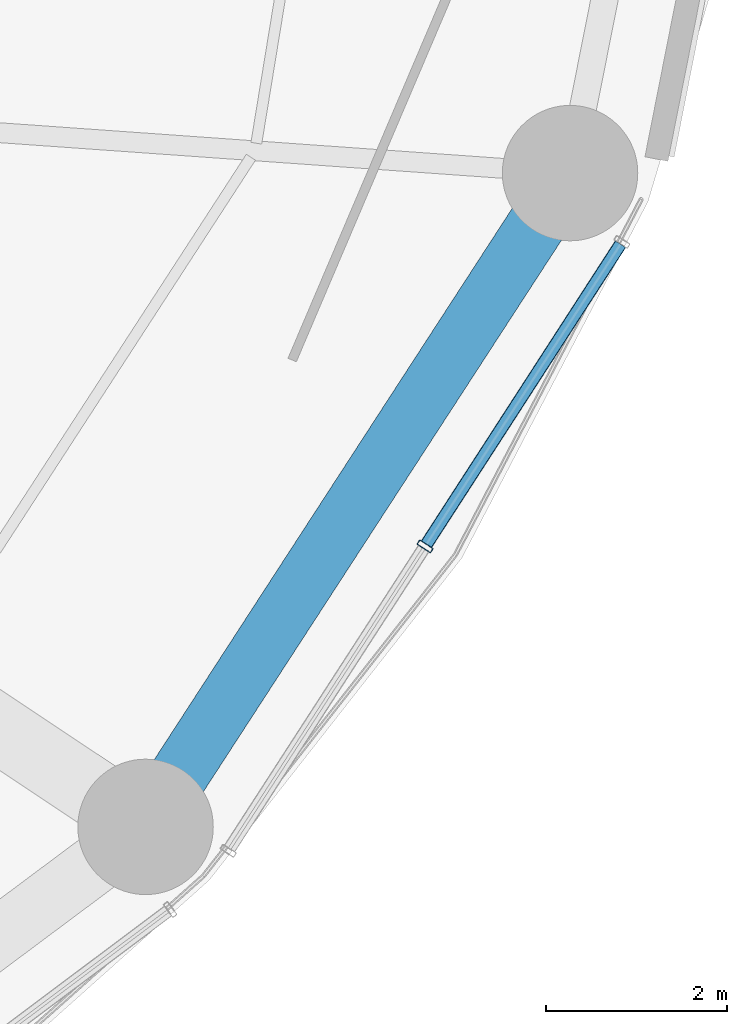
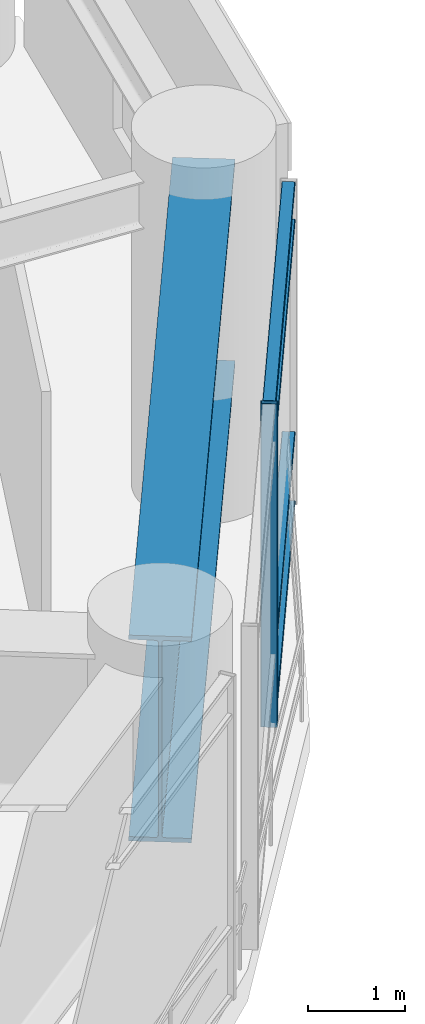
# One storey, part 22 of 52: 5 members, 1 beam, 1 element without a shape of its own.
"""IFC4 building model written with IfcOpenShell, lengths in metres."""

from ifc_helpers import new_model, si_unit, direction, frame, origin, origin_2d, place, context, subcontext, project, spatial, hollow_rectangle, i_section, extrude, material, layer, layer_set, material_profile, profile_set, type_object, element, aggregate, save


model = new_model("IFC4")

# Units and contexts
model_context = context("Model", 3, precision=1e-05, world=origin(), true_north=direction((0.0, 1.0)))
body_context = subcontext(model_context, "Body", "Model", "MODEL_VIEW")
ifc_project = project(units=[si_unit("LENGTHUNIT", "METRE"), si_unit("AREAUNIT", "SQUARE_METRE"), si_unit("VOLUMEUNIT", "CUBIC_METRE"), si_unit("PLANEANGLEUNIT", "RADIAN"), si_unit("MASSUNIT", "GRAM", prefix="KILO")], contexts=[model_context])

# Site, building, storey
site_placement = place(None, origin())
site = spatial("IfcSite", under=ifc_project, at=site_placement, CompositionType="ELEMENT")
building_placement = place(site_placement, origin())
building = spatial("IfcBuilding", under=site, at=building_placement, Name="Kelanora Arch Commons", CompositionType="ELEMENT")
storey_placement = place(building_placement, frame((0.0, 0.0, 13.5)))
storey = spatial("IfcBuildingStorey", under=building, at=storey_placement, Name="L03", CompositionType="ELEMENT", Elevation=13.5)

# Beam
ifc_material_1 = material(Name="Steel S355", Category="steel")
ifc_material_profile_1 = material_profile(ifc_material_1, i_section(OverallWidth=0.64990234375, OverallDepth=2.60009765625, WebThickness=0.034912109375, FlangeThickness=0.054931640625, FilletRadius=0.028076171875, at=origin_2d()), Name="PG2600x650")
ifc_profile_set_1 = profile_set([ifc_material_profile_1], Name="Steel S355")
beam_type = type_object("IfcBeamType", Name="BM-XFER-ARCH", PredefinedType="USERDEFINED", material=ifc_profile_set_1)
beam_placement = place(storey_placement, frame((94.744384765625, 42.521728515625, 2.800048828125), z_axis=(0.544585813928, 0.838705127722, 0.0), x_axis=(-0.838705127722, 0.544585813928, 0.0)))
element("IfcBeam", 1, at=beam_placement, inside=storey, type_object=beam_type, Name="Perimeter Spandrel Beam BS-32 L03", ObjectType="TRANSFER_GIRDER", PredefinedType="USERDEFINED", context=body_context, shape_type="SweptSolid", body=[
    extrude(i_section(OverallWidth=0.64990234375, OverallDepth=2.60009765625, WebThickness=0.034912109375, FlangeThickness=0.054931640625, FilletRadius=0.028076171875, at=origin_2d()), origin(), (0.0, 0.0, 1.0), 8.63525390625),
])

# Curtain wall, members
ifc_material_2 = material(Name="Terracotta ceramic-fritted low-E glass and aluminium", Category="masonry")
ifc_layer = layer(ifc_material_2, 0.2099609375)
ifc_layer_set = layer_set([ifc_layer], Name="Terracotta ceramic-fritted low-E glass and aluminium")
curtain_wall_type = type_object("IfcCurtainWallType", Name="CW-SYS-04", PredefinedType="NOTDEFINED", material=ifc_layer_set)
curtain_wall_placement = place(storey_placement, origin())
curtain_wall = element("IfcCurtainWall", 2, at=curtain_wall_placement, inside=storey, type_object=curtain_wall_type, Name="Unitised Curtain Wall L03-B16", PredefinedType="NOTDEFINED")
ifc_material_3 = material(Name="Powder-coated aluminium terracotta", Category="masonry")
ifc_material_profile_2 = material_profile(ifc_material_3, hollow_rectangle(XDim=0.179931640625, YDim=0.06005859375, WallThickness=0.0048828125, InnerFilletRadius=0.0048828125, OuterFilletRadius=0.010009765625, at=origin_2d()), Name="CWM180x60")
ifc_profile_set_2 = profile_set([ifc_material_profile_2], Name="Powder-coated aluminium terracotta")
member_type_1 = type_object("IfcMemberType", Name="CWM-HVY", PredefinedType="MULLION", material=ifc_profile_set_2)
member_1_placement = place(storey_placement, frame((97.841064453125, 45.629150390625, 0.0), z_axis=(0.0, 0.0, 1.0), x_axis=(-0.839728582399, 0.54300636083, 0.0)))
member_1 = element("IfcMember", 3, at=member_1_placement, type_object=member_type_1, Name="CW-04 mullion 2", PredefinedType="MULLION", context=body_context, shape_type="SweptSolid", body=[
    extrude(hollow_rectangle(XDim=0.179931640625, YDim=0.06005859375, WallThickness=0.0048828125, InnerFilletRadius=0.0048828125, OuterFilletRadius=0.010009765625, at=origin_2d()), origin(), (0.0, 0.0, 1.0), 4.0849609375),
])
ifc_material_profile_3 = material_profile(ifc_material_3, hollow_rectangle(XDim=0.139892578125, YDim=0.06005859375, WallThickness=0.0048828125, InnerFilletRadius=0.0048828125, OuterFilletRadius=0.010009765625, at=origin_2d()), Name="CWT140x60")
ifc_profile_set_3 = profile_set([ifc_material_profile_3], Name="Powder-coated aluminium terracotta")
member_type_2 = type_object("IfcMemberType", Name="CWT-HVY", PredefinedType="USERDEFINED", material=ifc_profile_set_3)
member_2_placement = place(storey_placement, frame((97.857177734375, 45.654296875, 0.030029296875), z_axis=(0.54299796475, 0.839734011623, 0.0), x_axis=(-0.839734011623, 0.54299796475, 0.0)))
member_2 = element("IfcMember", 4, at=member_2_placement, type_object=member_type_2, Name="CW-04 transom 2.1", ObjectType="TRANSOM", PredefinedType="USERDEFINED", context=body_context, shape_type="SweptSolid", body=[
    extrude(hollow_rectangle(XDim=0.139892578125, YDim=0.06005859375, WallThickness=0.0048828125, InnerFilletRadius=0.0048828125, OuterFilletRadius=0.010009765625, at=origin_2d()), origin(), (0.0, 0.0, 1.0), 3.95654296875),
])
member_3_placement = place(storey_placement, frame((97.857177734375, 45.654296875, 0.89990234375), z_axis=(0.54299796475, 0.839734011623, 0.0), x_axis=(-0.839734011623, 0.54299796475, 0.0)))
member_3 = element("IfcMember", 5, at=member_3_placement, type_object=member_type_2, Name="CW-04 transom 2.2", ObjectType="TRANSOM", PredefinedType="USERDEFINED", context=body_context, shape_type="SweptSolid", body=[
    extrude(hollow_rectangle(XDim=0.139892578125, YDim=0.06005859375, WallThickness=0.0048828125, InnerFilletRadius=0.0048828125, OuterFilletRadius=0.010009765625, at=origin_2d()), origin(), (0.0, 0.0, 1.0), 3.95654296875),
])
member_4_placement = place(storey_placement, frame((97.857177734375, 45.654296875, 3.5849609375), z_axis=(0.54299796475, 0.839734011623, 0.0), x_axis=(-0.839734011623, 0.54299796475, 0.0)))
member_4 = element("IfcMember", 6, at=member_4_placement, type_object=member_type_2, Name="CW-04 transom 2.3", ObjectType="TRANSOM", PredefinedType="USERDEFINED", context=body_context, shape_type="SweptSolid", body=[
    extrude(hollow_rectangle(XDim=0.139892578125, YDim=0.06005859375, WallThickness=0.0048828125, InnerFilletRadius=0.0048828125, OuterFilletRadius=0.010009765625, at=origin_2d()), origin(), (0.0, 0.0, 1.0), 3.95654296875),
])
member_5_placement = place(storey_placement, frame((97.857177734375, 45.654296875, 4.054931640625), z_axis=(0.54299796475, 0.839734011623, 0.0), x_axis=(-0.839734011623, 0.54299796475, 0.0)))
member_5 = element("IfcMember", 7, at=member_5_placement, type_object=member_type_2, Name="CW-04 transom 2.4", ObjectType="TRANSOM", PredefinedType="USERDEFINED", context=body_context, shape_type="SweptSolid", body=[
    extrude(hollow_rectangle(XDim=0.139892578125, YDim=0.06005859375, WallThickness=0.0048828125, InnerFilletRadius=0.0048828125, OuterFilletRadius=0.010009765625, at=origin_2d()), origin(), (0.0, 0.0, 1.0), 3.95654296875),
])
aggregate(curtain_wall, [member_1, member_2, member_3, member_4, member_5])

save(model, "model.ifc")
